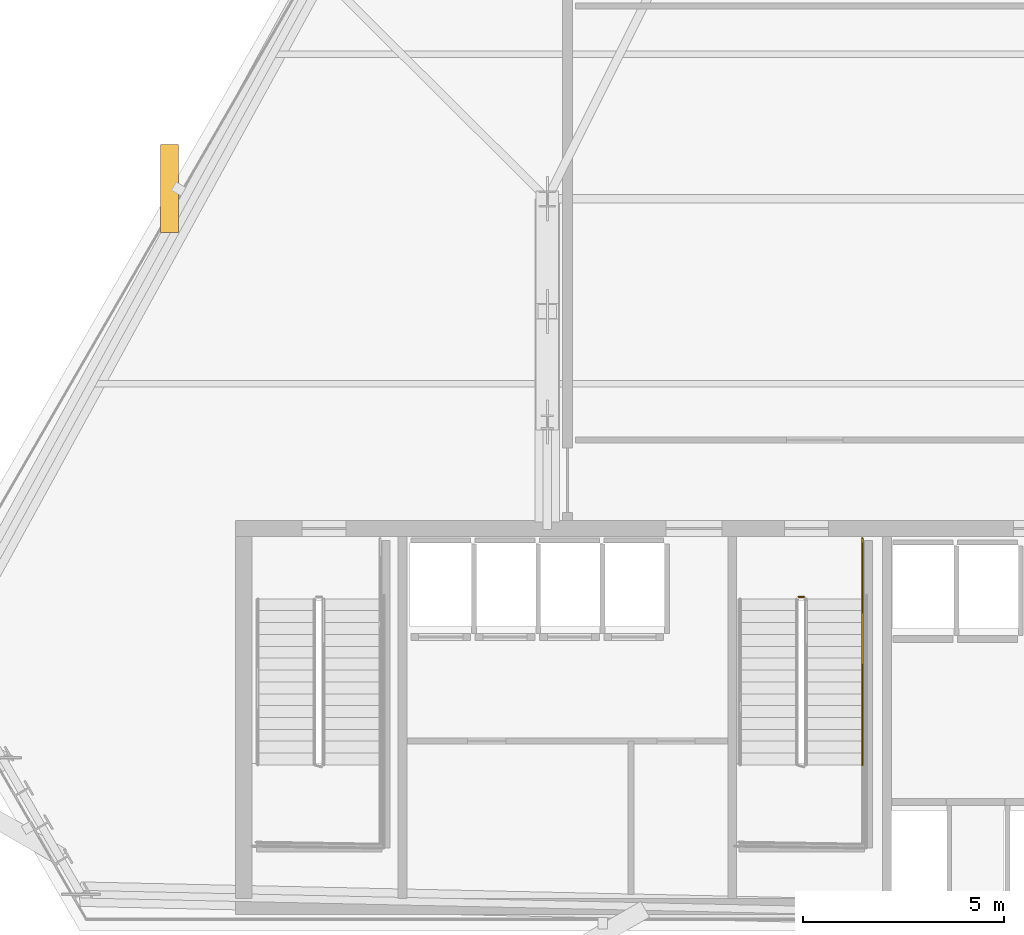
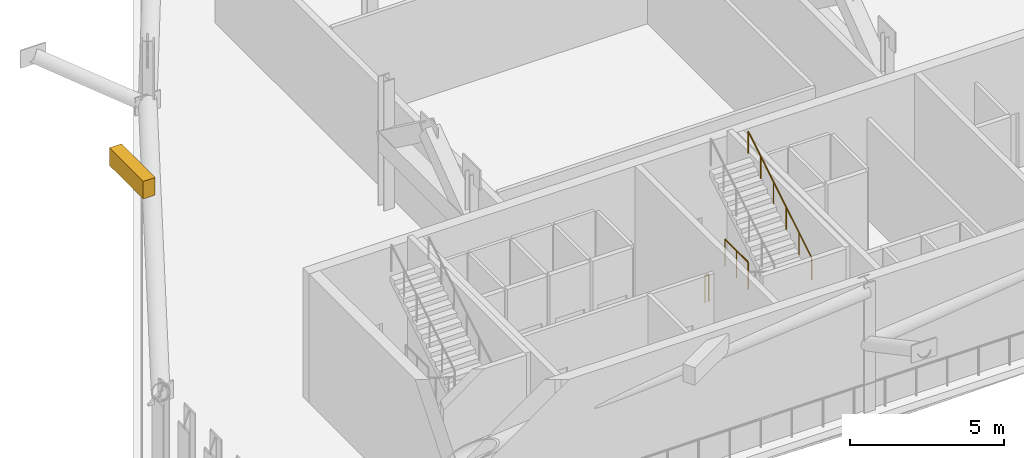
# One storey, part 8 of 11: 3 railings, 1 shading device.
"""IFC4 building model written with IfcOpenShell, lengths in metres."""

from ifc_helpers import new_model, si_unit, direction, frame, origin, origin_2d, place, context, subcontext, project, spatial, rectangle, circle, extrude, material, layer, layer_set, type_object, element, save


model = new_model("IFC4")

# Units and contexts
model_context = context("Model", 3, precision=1e-05, world=origin(), true_north=direction((0.0, 1.0)))
body_context = subcontext(model_context, "Body", "Model", "MODEL_VIEW")
ifc_project = project(units=[si_unit("LENGTHUNIT", "METRE"), si_unit("AREAUNIT", "SQUARE_METRE"), si_unit("VOLUMEUNIT", "CUBIC_METRE"), si_unit("PLANEANGLEUNIT", "RADIAN"), si_unit("MASSUNIT", "GRAM", prefix="KILO")], contexts=[model_context])

# Site, building, storey
site_placement = place(None, origin())
site = spatial("IfcSite", under=ifc_project, at=site_placement, CompositionType="ELEMENT")
building_placement = place(site_placement, origin())
building = spatial("IfcBuilding", under=site, at=building_placement, Name="Ndaravel Arena Tower", CompositionType="ELEMENT")
storey_placement = place(building_placement, frame((0.0, 0.0, 203.0)))
storey = spatial("IfcBuildingStorey", under=building, at=storey_placement, Name="L49", CompositionType="ELEMENT", Elevation=203.0)

# Railings
ifc_material_1 = material(Name="Steel S355", Category="steel")
ifc_layer_1 = layer(ifc_material_1, 0.06005859375)
ifc_layer_set_1 = layer_set([ifc_layer_1], Name="Steel S355")
railing_type_1 = type_object("IfcRailingType", Name="RAIL-STAIR-GD1100", PredefinedType="GUARDRAIL", material=ifc_layer_set_1)
railing_1_placement = place(storey_placement, frame((40.449951171875, 13.300048828125, 0.0)))
element("IfcRailing", 1, at=railing_1_placement, inside=storey, type_object=railing_type_1, Name="L49 ST-2 stair guard 4", PredefinedType="GUARDRAIL", context=body_context, shape_type="SweptSolid", body=[
    extrude(circle(Radius=0.02392578125, at=origin_2d()), frame((0.0, 0.0, 1.076171875), z_axis=(1.0, 0.0, 0.0), x_axis=(0.0, 1.0, 0.0)), (0.0, 0.0, 1.0), 0.14013671875),
    extrude(circle(Radius=0.02099609375, at=origin_2d()), origin(), (0.0, 0.0, 1.0), 1.052001953125),
    extrude(circle(Radius=0.02099609375, at=origin_2d()), frame((0.14013671875, 0.0, 0.0)), (0.0, 0.0, 1.0), 1.052001953125),
])
railing_2_placement = place(storey_placement, frame((42.0400390625, 14.75, 0.0)))
element("IfcRailing", 2, at=railing_2_placement, inside=storey, type_object=railing_type_1, Name="L49 ST-2 stair guard 5", PredefinedType="GUARDRAIL", context=body_context, shape_type="SweptSolid", body=[
    extrude(circle(Radius=0.02392578125, at=origin_2d()), frame((0.0, 0.0, 1.076171875), z_axis=(0.0, -1.0, 0.0), x_axis=(1.0, 0.0, 0.0)), (0.0, 0.0, 1.0), 1.5),
    extrude(circle(Radius=0.02099609375, at=origin_2d()), origin(), (0.0, 0.0, 1.0), 1.052001953125),
    extrude(circle(Radius=0.02099609375, at=origin_2d()), frame((0.0, -0.75, 0.0)), (0.0, 0.0, 1.0), 1.052001953125),
    extrude(circle(Radius=0.02099609375, at=origin_2d()), frame((0.0, -1.5, 0.0)), (0.0, 0.0, 1.0), 1.052001953125),
])
ifc_material_2 = material(Name="Steel S355", Category="steel")
ifc_layer_2 = layer(ifc_material_2, 0.050048828125)
ifc_layer_set_2 = layer_set([ifc_layer_2], Name="Steel S355")
railing_type_2 = type_object("IfcRailingType", Name="RAIL-STAIR-HR920", PredefinedType="HANDRAIL", material=ifc_layer_set_2)
railing_3_placement = place(storey_placement, frame((42.0400390625, 9.1201171875, 2.8798828125)))
element("IfcRailing", 3, at=railing_3_placement, inside=storey, type_object=railing_type_2, Name="L49 ST-2 stair handrail 2", PredefinedType="HANDRAIL", context=body_context, shape_type="SweptSolid", body=[
    extrude(circle(Radius=0.02392578125, at=origin_2d()), frame((0.0, 0.0, 0.8759765625), z_axis=(0.0, 0.853630913754, 0.520878357281), x_axis=(-1.0, 0.0, 0.0)), (0.0, 0.0, 1.0), 4.838134765625),
    extrude(circle(Radius=0.02099609375, at=origin_2d()), origin(), (0.0, 0.0, 1.0), 0.851806640625),
    extrude(circle(Radius=0.02099609375, at=origin_2d()), frame((0.0, 0.825927734375, 0.50390625)), (0.0, 0.0, 1.0), 0.851806640625),
    extrude(circle(Radius=0.02099609375, at=origin_2d()), frame((0.0, 1.65185546875, 1.008056640625)), (0.0, 0.0, 1.0), 0.851806640625),
    extrude(circle(Radius=0.02099609375, at=origin_2d()), frame((0.0, 2.47802734375, 1.511962890625)), (0.0, 0.0, 1.0), 0.851806640625),
    extrude(circle(Radius=0.02099609375, at=origin_2d()), frame((0.0, 3.303955078125, 2.01611328125)), (0.0, 0.0, 1.0), 0.851806640625),
    extrude(circle(Radius=0.02099609375, at=origin_2d()), frame((0.0, 4.1298828125, 2.52001953125)), (0.0, 0.0, 1.0), 0.851806640625),
])

# Shading device
ifc_material_3 = material(Name="Aluminium", Category="aluminium")
shading_device_type = type_object("IfcShadingDeviceType", Name="SHD-WIND-LOUVRE", PredefinedType="JALOUSIE", material=ifc_material_3)
shading_device_placement = place(storey_placement, frame((24.806884765625, 23.456787109375, 4.169921875), z_axis=(0.0, 0.0, 1.0), x_axis=(-1.0, 0.0, 0.0)))
element("IfcShadingDevice", 4, at=shading_device_placement, inside=storey, type_object=shading_device_type, Name="L49 Wind-Floor Acoustic Louvre 5.2", PredefinedType="JALOUSIE", context=body_context, shape_type="SweptSolid", body=[
    extrude(rectangle(XDim=0.449951171875, YDim=2.199951171875, at=origin_2d()), origin(), (0.0, 0.0, 1.0), 0.699951171875),
])

save(model, "model.ifc")
